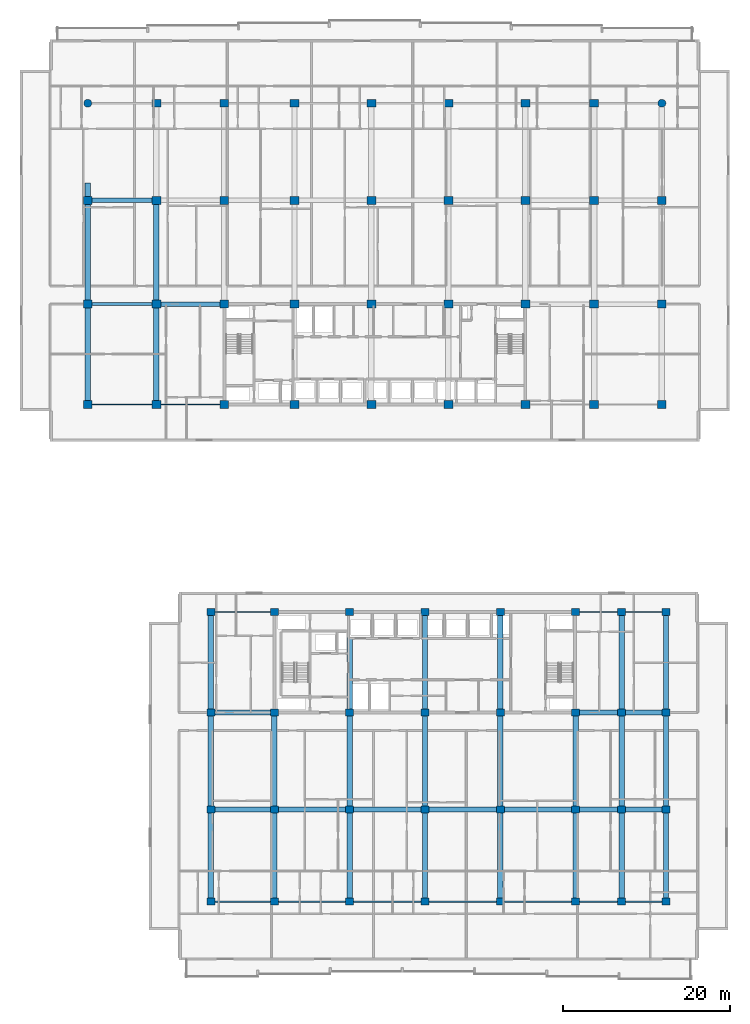
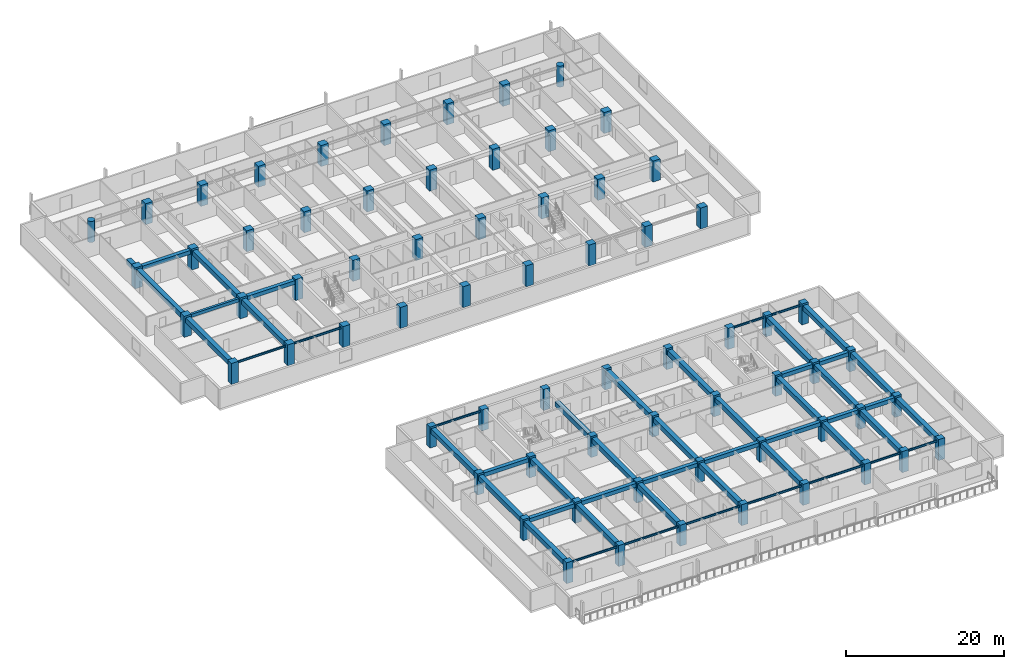
# One storey, part 1 of 23: 68 columns, 52 beams.
"""IFC4 building model written with IfcOpenShell, lengths in metres."""

import ifcopenshell
import ifcopenshell.guid

model = None  # the IFC model being written
_history = None  # IfcOwnerHistory: only IFC2X3 demands one
_inside = {}  # id of a spatial element -> (the spatial element, [elements in it])
_under = {}  # id of a project, library or spatial element -> (it, [spatial elements below it])
_declared = {}  # id of a project -> (the project, [libraries it declares])
_typed = {}  # id of a type object -> (the type object, [elements of that type])
_made_of = {}  # id of a material, layer set ... -> (it, [elements and type objects made of it])


def new_model(schema):
    """Start an empty IFC model of exactly this schema.

    Asked for "IFC4X3", IfcOpenShell would pick the latest addendum, in which some entities
    have other attributes; the version numbers below select the first issue.
    IFC2X3 requires an IfcOwnerHistory on every rooted entity: one is made here for all.
    """
    global model, _history
    if schema == "IFC4X3":
        model = ifcopenshell.file(schema_version=(4, 3, 0, 0))
    else:
        model = ifcopenshell.file(schema=schema)
    _inside.clear()
    _under.clear()
    _declared.clear()
    _typed.clear()
    _made_of.clear()
    _history = None
    if model.schema == "IFC2X3":
        org = make("IfcOrganization", Name="unknown")
        user = make(
            "IfcPersonAndOrganization",
            ThePerson=make("IfcPerson", FamilyName="unknown"),
            TheOrganization=org,
        )
        app = make(
            "IfcApplication",
            ApplicationDeveloper=org,
            Version="unknown",
            ApplicationFullName="unknown",
            ApplicationIdentifier="unknown",
        )
        _history = make(
            "IfcOwnerHistory",
            OwningUser=user,
            OwningApplication=app,
            ChangeAction="ADDED",
            CreationDate=0,
        )
    return model


def make(cls, **values):
    """One entity of the class cls with the attributes given. An attribute that is None is left unset."""
    return model.create_entity(
        cls, **{name: value for name, value in values.items() if value is not None}
    )


def rooted(cls, **values):
    """An entity with a GlobalId (a new one), such as an element, a storey or a relation."""
    return make(cls, GlobalId=ifcopenshell.guid.new(), OwnerHistory=_history, **values)


def si_unit(unit_type, name, prefix=None):
    """IfcSIUnit, for example si_unit("LENGTHUNIT", "METRE", prefix="MILLI")."""
    return make("IfcSIUnit", UnitType=unit_type, Prefix=prefix, Name=name)


def assignment(units):
    """IfcUnitAssignment: the units of a project."""
    return None if units is None else make("IfcUnitAssignment", Units=units)


def point(xyz):
    """IfcCartesianPoint."""
    return None if xyz is None else make("IfcCartesianPoint", Coordinates=xyz)


def direction(xyz):
    """IfcDirection."""
    return None if xyz is None else make("IfcDirection", DirectionRatios=xyz)


def frame(location, z_axis=None, x_axis=None):
    """IfcAxis2Placement3D, a coordinate frame: its origin and axes. An axis left out is left unset."""
    return make(
        "IfcAxis2Placement3D",
        Location=point(location),
        Axis=direction(z_axis),
        RefDirection=direction(x_axis),
    )


def frame_2d(location, x_axis=None):
    """IfcAxis2Placement2D, a coordinate frame in the plane: its origin and x axis."""
    return make(
        "IfcAxis2Placement2D", Location=point(location), RefDirection=direction(x_axis)
    )


def origin():
    """The frame at (0, 0, 0) with its axes left unset."""
    return frame((0.0, 0.0, 0.0))


def origin_2d():
    """The frame at (0, 0) in the plane with its x axis left unset."""
    return frame_2d((0.0, 0.0))


def place(relative_to, where):
    """IfcLocalPlacement: puts the frame where relative to a parent placement (None: the world)."""
    return make(
        "IfcLocalPlacement", PlacementRelTo=relative_to, RelativePlacement=where
    )


def context(
    kind, dimensions, precision=None, world=None, true_north=None, identifier=None
):
    """IfcGeometricRepresentationContext, for example the 3D "Model" context."""
    return make(
        "IfcGeometricRepresentationContext",
        ContextIdentifier=identifier,
        ContextType=kind,
        CoordinateSpaceDimension=dimensions,
        Precision=precision,
        WorldCoordinateSystem=world,
        TrueNorth=true_north,
    )


def subcontext(parent, identifier, kind, view, scale=None):
    """IfcGeometricRepresentationSubContext, for example "Body" below "Model"."""
    return make(
        "IfcGeometricRepresentationSubContext",
        ContextIdentifier=identifier,
        ContextType=kind,
        ParentContext=parent,
        TargetScale=scale,
        TargetView=view,
    )


def project(units=None, contexts=None):
    """IfcProject with its units and contexts."""
    return rooted(
        "IfcProject",
        Name="project",
        RepresentationContexts=contexts,
        UnitsInContext=assignment(units),
    )


def spatial(cls, under=None, at=None, **own):
    """A site, building, storey or space (cls), placed at a placement, below another one or the project."""
    s = rooted(cls, ObjectPlacement=at, **own)
    if under is not None:
        _under.setdefault(under.id(), (under, []))[1].append(s)
    return s


def profile(cls, at=None, kind="AREA", **sizes):
    """A parametric profile (cls). Its sizes go by their IFC names, for example OverallWidth=200.0."""
    return make(cls, ProfileType=kind, Position=at, **sizes)


def rectangle(**sizes):
    """IfcRectangleProfileDef."""
    return profile("IfcRectangleProfileDef", **sizes)


def circle(**sizes):
    """IfcCircleProfileDef."""
    return profile("IfcCircleProfileDef", **sizes)


def i_section(**sizes):
    """IfcIShapeProfileDef."""
    return profile("IfcIShapeProfileDef", **sizes)


def extrude(swept, where, along, depth):
    """IfcExtrudedAreaSolid: the profile swept, set in the frame where, extruded along a direction by depth."""
    return make(
        "IfcExtrudedAreaSolid",
        SweptArea=swept,
        Position=where,
        ExtrudedDirection=direction(along),
        Depth=depth,
    )


def shape(context_of_items, identifier, shape_type, items):
    """IfcShapeRepresentation: the items that make up one representation, for example the "Body"."""
    return make(
        "IfcShapeRepresentation",
        ContextOfItems=context_of_items,
        RepresentationIdentifier=identifier,
        RepresentationType=shape_type,
        Items=items,
    )


def material(Name=None, Category=None):
    """IfcMaterial."""
    return make("IfcMaterial", Name=Name, Category=Category)


def material_profile(
    of_material, cross_section, Name=None, Category=None, Priority=None
):
    """IfcMaterialProfile: a cross section and its material."""
    return make(
        "IfcMaterialProfile",
        Name=Name,
        Material=of_material,
        Profile=cross_section,
        Priority=Priority,
        Category=Category,
    )


def profile_set(profiles, Name=None, composite=None):
    """IfcMaterialProfileSet."""
    return make(
        "IfcMaterialProfileSet",
        Name=Name,
        MaterialProfiles=profiles,
        CompositeProfile=composite,
    )


def made_of(thing, what):
    """Note that an element or type object is made of a material, layer set ...; save() writes the relation."""
    if what is not None:
        _made_of.setdefault(what.id(), (what, []))[1].append(thing)
    return thing


def type_object(cls, material=None, **own):
    """A type object (cls), such as IfcWallType, which elements share."""
    return made_of(rooted(cls, **own), material)


def element(
    cls,
    number,
    at=None,
    inside=None,
    cuts=None,
    type_object=None,
    material=None,
    context=None,
    identifier="Body",
    shape_type=None,
    held_by="IfcProductDefinitionShape",
    body=None,
    shapes=None,
    **own,
):
    """One element of the class cls, such as IfcWall. Its Tag is "e" and its number.

    at: its placement. inside: the storey or other place that contains it. cuts: it is an
    opening in that element (IfcRelVoidsElement). A single representation is given by context,
    identifier, shape_type and body (its items); several are given by shapes. held_by: the class
    of the entity that holds the representations. save() writes the other relations.
    """
    e = rooted(cls, Tag="e%d" % number, ObjectPlacement=at, **own)
    if body is not None:
        shapes = [shape(context, identifier, shape_type, body)]
    if shapes is not None:
        e.Representation = make(held_by, Representations=shapes)
    if inside is not None:
        _inside.setdefault(inside.id(), (inside, []))[1].append(e)
    if cuts is not None:
        rooted(
            "IfcRelVoidsElement", RelatingBuildingElement=cuts, RelatedOpeningElement=e
        )
    if type_object is not None:
        _typed.setdefault(type_object.id(), (type_object, []))[1].append(e)
    return made_of(e, material)


def aggregate(whole, parts):
    """IfcRelAggregates: a whole, such as a stair, and the parts it consists of."""
    return rooted("IfcRelAggregates", RelatingObject=whole, RelatedObjects=parts)


def save(model, path):
    """Write the relations noted so far, then the file.

    IfcRelAggregates (storeys below a building ...), IfcRelContainedInSpatialStructure (elements
    in a storey), IfcRelDefinesByType, IfcRelAssociatesMaterial and IfcRelDeclares: one each for
    every whole, place, type object, material and project.
    """
    for whole, parts in _under.values():
        aggregate(whole, parts)
    for where, things in _inside.values():
        rooted(
            "IfcRelContainedInSpatialStructure",
            RelatedElements=things,
            RelatingStructure=where,
        )
    for kind, things in _typed.values():
        rooted("IfcRelDefinesByType", RelatedObjects=things, RelatingType=kind)
    for what, things in _made_of.values():
        rooted("IfcRelAssociatesMaterial", RelatedObjects=things, RelatingMaterial=what)
    for by, libraries in _declared.values():
        rooted("IfcRelDeclares", RelatingContext=by, RelatedDefinitions=libraries)
    model.write(path)


model = new_model("IFC4")

# Units and contexts
model_context = context("Model", 3, precision=1e-05, world=origin(), true_north=direction((0.0, 1.0)))
body_context = subcontext(model_context, "Body", "Model", "MODEL_VIEW")
ifc_project = project(units=[si_unit("LENGTHUNIT", "METRE"), si_unit("AREAUNIT", "SQUARE_METRE"), si_unit("VOLUMEUNIT", "CUBIC_METRE"), si_unit("PLANEANGLEUNIT", "RADIAN"), si_unit("MASSUNIT", "GRAM", prefix="KILO")], contexts=[model_context])

# Site, building, storey
site_placement = place(None, origin())
site = spatial("IfcSite", under=ifc_project, at=site_placement, CompositionType="ELEMENT")
building_placement = place(site_placement, origin())
building = spatial("IfcBuilding", under=site, at=building_placement, Name="Korimba Cascade Residences", CompositionType="ELEMENT")
storey_placement = place(building_placement, frame((0.0, 0.0, 30.5)))
storey = spatial("IfcBuildingStorey", under=building, at=storey_placement, Name="L07", CompositionType="ELEMENT", Elevation=30.5)

# Columns
ifc_material_1 = material(Name="Concrete C80/95", Category="concrete")
ifc_material_profile_1 = material_profile(ifc_material_1, rectangle(XDim=1.050048828125, YDim=0.949951171875, at=origin_2d()), Name="Concrete C80/95")
ifc_profile_set_1 = profile_set([ifc_material_profile_1], Name="Concrete C80/95")
column_type_1 = type_object("IfcColumnType", Name="COL-RC-1050", PredefinedType="COLUMN", material=ifc_profile_set_1)
for number, where, z_axis, x_axis, name in (
    (1, (59.800048828125, 55.199951171875, 0.0), (0.0, 0.0, 1.0), (1.0, 0.0, 0.0), "L07 Tower 1 Column 1.1"),
    (2, (59.800048828125, 67.199951171875, 0.0), (0.0, 0.0, 1.0), (1.0, 0.0, 0.0), "L07 Tower 1 Column 1.2"),
    (3, (59.800048828125, 79.60009765625, 0.0), (0.0, 0.0, 1.0), (1.0, 0.0, 0.0), "L07 Tower 1 Column 1.3"),
    (4, (68.0, 55.199951171875, 0.0), (0.0, 0.0, 1.0), (1.0, 0.0, 0.0), "L07 Tower 1 Column 2.1"),
    (5, (68.0, 67.199951171875, 0.0), (0.0, 0.0, 1.0), (1.0, 0.0, 0.0), "L07 Tower 1 Column 2.2"),
    (6, (68.0, 79.60009765625, 0.0), (0.0, 0.0, 1.0), (1.0, 0.0, 0.0), "L07 Tower 1 Column 2.3"),
    (7, (68.0, 91.199951171875, 0.0), (0.0, 0.0, 1.0), (1.0, 0.0, 0.0), "L07 Tower 1 Column 2.4"),
    (8, (76.10009765625, 55.199951171875, 0.0), (0.0, 0.0, 1.0), (1.0, 0.0, 0.0), "L07 Tower 1 Column 3.1"),
    (9, (76.10009765625, 67.199951171875, 0.0), (0.0, 0.0, 1.0), (1.0, 0.0, 0.0), "L07 Tower 1 Column 3.2"),
    (10, (76.10009765625, 79.60009765625, 0.0), (0.0, 0.0, 1.0), (1.0, 0.0, 0.0), "L07 Tower 1 Column 3.3"),
    (11, (76.10009765625, 91.199951171875, 0.0), (0.0, 0.0, 1.0), (1.0, 0.0, 0.0), "L07 Tower 1 Column 3.4"),
    (12, (84.5, 55.199951171875, 0.0), (0.0, 0.0, 1.0), (1.0, 0.0, 0.0), "L07 Tower 1 Column 4.1"),
    (13, (84.5, 67.199951171875, 0.0), (0.0, 0.0, 1.0), (1.0, 0.0, 0.0), "L07 Tower 1 Column 4.2"),
    (14, (84.5, 79.60009765625, 0.0), (0.0, 0.0, 1.0), (1.0, 0.0, 0.0), "L07 Tower 1 Column 4.3"),
    (15, (84.5, 91.199951171875, 0.0), (0.0, 0.0, 1.0), (1.0, 0.0, 0.0), "L07 Tower 1 Column 4.4"),
    (16, (93.699951171875, 55.199951171875, 0.0), (0.0, 0.0, 1.0), (1.0, 0.0, 0.0), "L07 Tower 1 Column 5.1"),
    (17, (93.699951171875, 67.199951171875, 0.0), (0.0, 0.0, 1.0), (1.0, 0.0, 0.0), "L07 Tower 1 Column 5.2"),
    (18, (93.699951171875, 79.60009765625, 0.0), (0.0, 0.0, 1.0), (1.0, 0.0, 0.0), "L07 Tower 1 Column 5.3"),
    (19, (93.699951171875, 91.199951171875, 0.0), (0.0, 0.0, 1.0), (1.0, 0.0, 0.0), "L07 Tower 1 Column 5.4"),
    (20, (102.89990234375, 55.199951171875, 0.0), (0.0, 0.0, 1.0), (1.0, 0.0, 0.0), "L07 Tower 1 Column 6.1"),
    (21, (102.89990234375, 67.199951171875, 0.0), (0.0, 0.0, 1.0), (1.0, 0.0, 0.0), "L07 Tower 1 Column 6.2"),
    (22, (102.89990234375, 79.60009765625, 0.0), (0.0, 0.0, 1.0), (1.0, 0.0, 0.0), "L07 Tower 1 Column 6.3"),
    (23, (102.89990234375, 91.199951171875, 0.0), (0.0, 0.0, 1.0), (1.0, 0.0, 0.0), "L07 Tower 1 Column 6.4"),
    (24, (112.10009765625, 55.199951171875, 0.0), (0.0, 0.0, 1.0), (1.0, 0.0, 0.0), "L07 Tower 1 Column 7.1"),
    (25, (112.10009765625, 67.199951171875, 0.0), (0.0, 0.0, 1.0), (1.0, 0.0, 0.0), "L07 Tower 1 Column 7.2"),
    (26, (112.10009765625, 79.60009765625, 0.0), (0.0, 0.0, 1.0), (1.0, 0.0, 0.0), "L07 Tower 1 Column 7.3"),
    (27, (112.10009765625, 91.199951171875, 0.0), (0.0, 0.0, 1.0), (1.0, 0.0, 0.0), "L07 Tower 1 Column 7.4"),
    (28, (120.300048828125, 55.199951171875, 0.0), (0.0, 0.0, 1.0), (1.0, 0.0, 0.0), "L07 Tower 1 Column 8.1"),
    (29, (120.300048828125, 67.199951171875, 0.0), (0.0, 0.0, 1.0), (1.0, 0.0, 0.0), "L07 Tower 1 Column 8.2"),
    (30, (120.300048828125, 79.60009765625, 0.0), (0.0, 0.0, 1.0), (1.0, 0.0, 0.0), "L07 Tower 1 Column 8.3"),
    (31, (120.300048828125, 91.199951171875, 0.0), (0.0, 0.0, 1.0), (1.0, 0.0, 0.0), "L07 Tower 1 Column 8.4"),
    (32, (128.39990234375, 55.199951171875, 0.0), (0.0, 0.0, 1.0), (1.0, 0.0, 0.0), "L07 Tower 1 Column 9.1"),
    (33, (128.39990234375, 67.199951171875, 0.0), (0.0, 0.0, 1.0), (1.0, 0.0, 0.0), "L07 Tower 1 Column 9.2"),
    (34, (128.39990234375, 79.60009765625, 0.0), (0.0, 0.0, 1.0), (1.0, 0.0, 0.0), "L07 Tower 1 Column 9.3"),
):
    element("IfcColumn", number, at=place(storey_placement, frame(where, z_axis=z_axis, x_axis=x_axis)), inside=storey, type_object=column_type_1, Name=name, PredefinedType="COLUMN", context=body_context, shape_type="SweptSolid", body=[
        extrude(rectangle(XDim=1.050048828125, YDim=0.949951171875, at=origin_2d()), origin(), (0.0, 0.0, 1.0), 3.25),
    ])
ifc_material_2 = material(Name="Concrete C65/80", Category="concrete")
ifc_material_profile_2 = material_profile(ifc_material_2, rectangle(XDim=0.949951171875, YDim=0.85009765625, at=origin_2d()), Name="Concrete C65/80")
ifc_profile_set_2 = profile_set([ifc_material_profile_2], Name="Concrete C65/80")
column_type_2 = type_object("IfcColumnType", Name="COL-RC-950", PredefinedType="COLUMN", material=ifc_profile_set_2)
for number, where, z_axis, x_axis, name in (
    (35, (74.5, -4.199951171875, 0.0), (0.0, 0.0, 1.0), (1.0, 0.0, 0.0), "L07 Tower 2 Column 1.1"),
    (36, (74.5, 6.800048828125, 0.0), (0.0, 0.0, 1.0), (1.0, 0.0, 0.0), "L07 Tower 2 Column 1.2"),
    (37, (74.5, 18.39990234375, 0.0), (0.0, 0.0, 1.0), (1.0, 0.0, 0.0), "L07 Tower 2 Column 1.3"),
    (38, (74.5, 30.39990234375, 0.0), (0.0, 0.0, 1.0), (1.0, 0.0, 0.0), "L07 Tower 2 Column 1.4"),
    (39, (82.10009765625, -4.199951171875, 0.0), (0.0, 0.0, 1.0), (1.0, 0.0, 0.0), "L07 Tower 2 Column 2.1"),
    (40, (82.10009765625, 6.800048828125, 0.0), (0.0, 0.0, 1.0), (1.0, 0.0, 0.0), "L07 Tower 2 Column 2.2"),
    (41, (82.10009765625, 18.39990234375, 0.0), (0.0, 0.0, 1.0), (1.0, 0.0, 0.0), "L07 Tower 2 Column 2.3"),
    (42, (82.10009765625, 30.39990234375, 0.0), (0.0, 0.0, 1.0), (1.0, 0.0, 0.0), "L07 Tower 2 Column 2.4"),
    (43, (91.10009765625, -4.199951171875, 0.0), (0.0, 0.0, 1.0), (1.0, 0.0, 0.0), "L07 Tower 2 Column 3.1"),
    (44, (91.10009765625, 6.800048828125, 0.0), (0.0, 0.0, 1.0), (1.0, 0.0, 0.0), "L07 Tower 2 Column 3.2"),
    (45, (91.10009765625, 18.39990234375, 0.0), (0.0, 0.0, 1.0), (1.0, 0.0, 0.0), "L07 Tower 2 Column 3.3"),
    (46, (91.10009765625, 30.39990234375, 0.0), (0.0, 0.0, 1.0), (1.0, 0.0, 0.0), "L07 Tower 2 Column 3.4"),
    (47, (100.10009765625, -4.199951171875, 0.0), (0.0, 0.0, 1.0), (1.0, 0.0, 0.0), "L07 Tower 2 Column 4.1"),
    (48, (100.10009765625, 6.800048828125, 0.0), (0.0, 0.0, 1.0), (1.0, 0.0, 0.0), "L07 Tower 2 Column 4.2"),
    (49, (100.10009765625, 18.39990234375, 0.0), (0.0, 0.0, 1.0), (1.0, 0.0, 0.0), "L07 Tower 2 Column 4.3"),
    (50, (100.10009765625, 30.39990234375, 0.0), (0.0, 0.0, 1.0), (1.0, 0.0, 0.0), "L07 Tower 2 Column 4.4"),
    (51, (109.10009765625, -4.199951171875, 0.0), (0.0, 0.0, 1.0), (1.0, 0.0, 0.0), "L07 Tower 2 Column 5.1"),
    (52, (109.10009765625, 6.800048828125, 0.0), (0.0, 0.0, 1.0), (1.0, 0.0, 0.0), "L07 Tower 2 Column 5.2"),
    (53, (109.10009765625, 18.39990234375, 0.0), (0.0, 0.0, 1.0), (1.0, 0.0, 0.0), "L07 Tower 2 Column 5.3"),
    (54, (109.10009765625, 30.39990234375, 0.0), (0.0, 0.0, 1.0), (1.0, 0.0, 0.0), "L07 Tower 2 Column 5.4"),
    (55, (118.10009765625, -4.199951171875, 0.0), (0.0, 0.0, 1.0), (1.0, 0.0, 0.0), "L07 Tower 2 Column 6.1"),
    (56, (118.10009765625, 6.800048828125, 0.0), (0.0, 0.0, 1.0), (1.0, 0.0, 0.0), "L07 Tower 2 Column 6.2"),
    (57, (118.10009765625, 18.39990234375, 0.0), (0.0, 0.0, 1.0), (1.0, 0.0, 0.0), "L07 Tower 2 Column 6.3"),
    (58, (118.10009765625, 30.39990234375, 0.0), (0.0, 0.0, 1.0), (1.0, 0.0, 0.0), "L07 Tower 2 Column 6.4"),
    (59, (123.60009765625, -4.199951171875, 0.0), (0.0, 0.0, 1.0), (1.0, 0.0, 0.0), "L07 Tower 2 Column 7.1"),
    (60, (123.60009765625, 6.800048828125, 0.0), (0.0, 0.0, 1.0), (1.0, 0.0, 0.0), "L07 Tower 2 Column 7.2"),
    (61, (123.60009765625, 18.39990234375, 0.0), (0.0, 0.0, 1.0), (1.0, 0.0, 0.0), "L07 Tower 2 Column 7.3"),
    (62, (123.60009765625, 30.39990234375, 0.0), (0.0, 0.0, 1.0), (1.0, 0.0, 0.0), "L07 Tower 2 Column 7.4"),
    (63, (128.89990234375, -4.199951171875, 0.0), (0.0, 0.0, 1.0), (1.0, 0.0, 0.0), "L07 Tower 2 Column 8.1"),
    (64, (128.89990234375, 6.800048828125, 0.0), (0.0, 0.0, 1.0), (1.0, 0.0, 0.0), "L07 Tower 2 Column 8.2"),
    (65, (128.89990234375, 18.39990234375, 0.0), (0.0, 0.0, 1.0), (1.0, 0.0, 0.0), "L07 Tower 2 Column 8.3"),
    (66, (128.89990234375, 30.39990234375, 0.0), (0.0, 0.0, 1.0), (1.0, 0.0, 0.0), "L07 Tower 2 Column 8.4"),
):
    element("IfcColumn", number, at=place(storey_placement, frame(where, z_axis=z_axis, x_axis=x_axis)), inside=storey, type_object=column_type_2, Name=name, PredefinedType="COLUMN", context=body_context, shape_type="SweptSolid", body=[
        extrude(rectangle(XDim=0.949951171875, YDim=0.85009765625, at=origin_2d()), origin(), (0.0, 0.0, 1.0), 3.25),
    ])
ifc_material_profile_3 = material_profile(ifc_material_1, circle(Radius=0.47509765625, at=origin_2d()), Name="Concrete C80/95")
ifc_profile_set_3 = profile_set([ifc_material_profile_3], Name="Concrete C80/95")
column_type_3 = type_object("IfcColumnType", Name="COL-RC-D950", PredefinedType="COLUMN", material=ifc_profile_set_3)
for number, where, z_axis, x_axis, name in (
    (67, (59.800048828125, 91.199951171875, 0.0), (0.0, 0.0, 1.0), (1.0, 0.0, 0.0), "L07 Tower 1 Column 1.4"),
    (68, (128.39990234375, 91.199951171875, 0.0), (0.0, 0.0, 1.0), (1.0, 0.0, 0.0), "L07 Tower 1 Column 9.4"),
):
    element("IfcColumn", number, at=place(storey_placement, frame(where, z_axis=z_axis, x_axis=x_axis)), inside=storey, type_object=column_type_3, Name=name, PredefinedType="COLUMN", context=body_context, shape_type="SweptSolid", body=[
        extrude(circle(Radius=0.47509765625, at=origin_2d()), origin(), (0.0, 0.0, 1.0), 3.25),
    ])

# Beams
ifc_material_3 = material(Name="Concrete C50/60", Category="concrete")
ifc_material_profile_4 = material_profile(ifc_material_3, rectangle(XDim=0.550048828125, YDim=0.60009765625, at=origin_2d()), Name="Concrete C50/60")
ifc_profile_set_4 = profile_set([ifc_material_profile_4], Name="Concrete C50/60")
beam_type_1 = type_object("IfcBeamType", Name="BM-RC-B600", PredefinedType="BEAM", material=ifc_profile_set_4)
beam_1_placement = place(storey_placement, frame((68.52490234375, 67.199951171875, 2.669921875), z_axis=(1.0, 0.0, 0.0), x_axis=(0.0, 1.0, 0.0)))
element("IfcBeam", 69, at=beam_1_placement, inside=storey, type_object=beam_type_1, Name="L07 T1 E-W Girder Y2 Bay 2", PredefinedType="BEAM", context=body_context, shape_type="SweptSolid", body=[
    extrude(rectangle(XDim=0.550048828125, YDim=0.60009765625, at=origin_2d()), origin(), (0.0, 0.0, 1.0), 7.050048828125),
])
beam_2_placement = place(storey_placement, frame((60.324951171875, 79.60009765625, 2.669921875), z_axis=(1.0, 0.0, 0.0), x_axis=(0.0, 1.0, 0.0)))
element("IfcBeam", 70, at=beam_2_placement, inside=storey, type_object=beam_type_1, Name="L07 T1 E-W Girder Y3 Bay 1", PredefinedType="BEAM", context=body_context, shape_type="SweptSolid", body=[
    extrude(rectangle(XDim=0.550048828125, YDim=0.60009765625, at=origin_2d()), origin(), (0.0, 0.0, 1.0), 7.150146484375),
])
beam_3_placement = place(storey_placement, frame((74.97509765625, 6.800048828125, 2.669921875), z_axis=(1.0, 0.0, 0.0), x_axis=(0.0, 1.0, 0.0)))
element("IfcBeam", 71, at=beam_3_placement, inside=storey, type_object=beam_type_1, Name="L07 T2 E-W Girder Y2 Bay 1", PredefinedType="BEAM", context=body_context, shape_type="SweptSolid", body=[
    extrude(rectangle(XDim=0.550048828125, YDim=0.60009765625, at=origin_2d()), origin(), (0.0, 0.0, 1.0), 6.64990234375),
])
for number, where, z_axis, x_axis, name in (
    (72, (82.574951171875, 6.800048828125, 2.669921875), (1.0, 0.0, 0.0), (0.0, 1.0, 0.0), "L07 T2 E-W Girder Y2 Bay 2"),
    (73, (91.574951171875, 6.800048828125, 2.669921875), (1.0, 0.0, 0.0), (0.0, 1.0, 0.0), "L07 T2 E-W Girder Y2 Bay 3"),
    (74, (100.574951171875, 6.800048828125, 2.669921875), (1.0, 0.0, 0.0), (0.0, 1.0, 0.0), "L07 T2 E-W Girder Y2 Bay 4"),
    (75, (109.574951171875, 6.800048828125, 2.669921875), (1.0, 0.0, 0.0), (0.0, 1.0, 0.0), "L07 T2 E-W Girder Y2 Bay 5"),
):
    element("IfcBeam", number, at=place(storey_placement, frame(where, z_axis=z_axis, x_axis=x_axis)), inside=storey, type_object=beam_type_1, Name=name, PredefinedType="BEAM", context=body_context, shape_type="SweptSolid", body=[
        extrude(rectangle(XDim=0.550048828125, YDim=0.60009765625, at=origin_2d()), origin(), (0.0, 0.0, 1.0), 8.050048828125),
    ])
beam_4_placement = place(storey_placement, frame((118.574951171875, 6.800048828125, 2.669921875), z_axis=(1.0, 0.0, 0.0), x_axis=(0.0, 1.0, 0.0)))
element("IfcBeam", 76, at=beam_4_placement, inside=storey, type_object=beam_type_1, Name="L07 T2 E-W Girder Y2 Bay 6", PredefinedType="BEAM", context=body_context, shape_type="SweptSolid", body=[
    extrude(rectangle(XDim=0.550048828125, YDim=0.60009765625, at=origin_2d()), origin(), (0.0, 0.0, 1.0), 4.550048828125),
])
beam_5_placement = place(storey_placement, frame((124.074951171875, 6.800048828125, 2.669921875), z_axis=(1.0, 0.0, 0.0), x_axis=(0.0, 1.0, 0.0)))
element("IfcBeam", 77, at=beam_5_placement, inside=storey, type_object=beam_type_1, Name="L07 T2 E-W Girder Y2 Bay 7", PredefinedType="BEAM", context=body_context, shape_type="SweptSolid", body=[
    extrude(rectangle(XDim=0.550048828125, YDim=0.60009765625, at=origin_2d()), origin(), (0.0, 0.0, 1.0), 4.35009765625),
])
beam_6_placement = place(storey_placement, frame((74.97509765625, 18.39990234375, 2.669921875), z_axis=(1.0, 0.0, 0.0), x_axis=(0.0, 1.0, 0.0)))
element("IfcBeam", 78, at=beam_6_placement, inside=storey, type_object=beam_type_1, Name="L07 T2 E-W Girder Y3 Bay 1", PredefinedType="BEAM", context=body_context, shape_type="SweptSolid", body=[
    extrude(rectangle(XDim=0.550048828125, YDim=0.60009765625, at=origin_2d()), origin(), (0.0, 0.0, 1.0), 6.64990234375),
])
beam_7_placement = place(storey_placement, frame((118.574951171875, 18.39990234375, 2.669921875), z_axis=(1.0, 0.0, 0.0), x_axis=(0.0, 1.0, 0.0)))
element("IfcBeam", 79, at=beam_7_placement, inside=storey, type_object=beam_type_1, Name="L07 T2 E-W Girder Y3 Bay 6", PredefinedType="BEAM", context=body_context, shape_type="SweptSolid", body=[
    extrude(rectangle(XDim=0.550048828125, YDim=0.60009765625, at=origin_2d()), origin(), (0.0, 0.0, 1.0), 4.550048828125),
])
beam_8_placement = place(storey_placement, frame((124.074951171875, 18.39990234375, 2.669921875), z_axis=(1.0, 0.0, 0.0), x_axis=(0.0, 1.0, 0.0)))
element("IfcBeam", 80, at=beam_8_placement, inside=storey, type_object=beam_type_1, Name="L07 T2 E-W Girder Y3 Bay 7", PredefinedType="BEAM", context=body_context, shape_type="SweptSolid", body=[
    extrude(rectangle(XDim=0.550048828125, YDim=0.60009765625, at=origin_2d()), origin(), (0.0, 0.0, 1.0), 4.35009765625),
])
ifc_material_profile_5 = material_profile(ifc_material_3, rectangle(XDim=0.64990234375, YDim=0.75, at=origin_2d()), Name="Concrete C50/60")
ifc_profile_set_5 = profile_set([ifc_material_profile_5], Name="Concrete C50/60")
beam_type_2 = type_object("IfcBeamType", Name="BM-RC-G750", PredefinedType="BEAM", material=ifc_profile_set_5)
beam_9_placement = place(storey_placement, frame((59.800048828125, 55.675048828125, 2.594970703125), z_axis=(0.0, 1.0, 0.0), x_axis=(-1.0, 0.0, 0.0)))
element("IfcBeam", 81, at=beam_9_placement, inside=storey, type_object=beam_type_2, Name="L07 T1 N-S Girder X1 Seg 1", PredefinedType="BEAM", context=body_context, shape_type="SweptSolid", body=[
    extrude(rectangle(XDim=0.64990234375, YDim=0.75, at=origin_2d()), origin(), (0.0, 0.0, 1.0), 11.050048828125),
])
beam_10_placement = place(storey_placement, frame((59.800048828125, 67.675048828125, 2.594970703125), z_axis=(0.0, 1.0, 0.0), x_axis=(-1.0, 0.0, 0.0)))
element("IfcBeam", 82, at=beam_10_placement, inside=storey, type_object=beam_type_2, Name="L07 T1 N-S Girder X1 Seg 2", PredefinedType="BEAM", context=body_context, shape_type="SweptSolid", body=[
    extrude(rectangle(XDim=0.64990234375, YDim=0.75, at=origin_2d()), origin(), (0.0, 0.0, 1.0), 11.449951171875),
])
beam_11_placement = place(storey_placement, frame((59.800048828125, 80.074951171875, 2.594970703125), z_axis=(0.0, 1.0, 0.0), x_axis=(-1.0, 0.0, 0.0)))
element("IfcBeam", 83, at=beam_11_placement, inside=storey, type_object=beam_type_2, Name="L07 T1 N-S Girder X1 Seg 3", PredefinedType="BEAM", context=body_context, shape_type="SweptSolid", body=[
    extrude(rectangle(XDim=0.64990234375, YDim=0.75, at=origin_2d()), origin(), (0.0, 0.0, 1.0), 1.625),
])
beam_12_placement = place(storey_placement, frame((68.0, 55.675048828125, 2.594970703125), z_axis=(0.0, 1.0, 0.0), x_axis=(-1.0, 0.0, 0.0)))
element("IfcBeam", 84, at=beam_12_placement, inside=storey, type_object=beam_type_2, Name="L07 T1 N-S Girder X2 Seg 1", PredefinedType="BEAM", context=body_context, shape_type="SweptSolid", body=[
    extrude(rectangle(XDim=0.64990234375, YDim=0.75, at=origin_2d()), origin(), (0.0, 0.0, 1.0), 11.050048828125),
])
beam_13_placement = place(storey_placement, frame((68.0, 67.675048828125, 2.594970703125), z_axis=(0.0, 1.0, 0.0), x_axis=(-1.0, 0.0, 0.0)))
element("IfcBeam", 85, at=beam_13_placement, inside=storey, type_object=beam_type_2, Name="L07 T1 N-S Girder X2 Seg 2", PredefinedType="BEAM", context=body_context, shape_type="SweptSolid", body=[
    extrude(rectangle(XDim=0.64990234375, YDim=0.75, at=origin_2d()), origin(), (0.0, 0.0, 1.0), 11.449951171875),
])
beam_14_placement = place(storey_placement, frame((74.5, -3.77490234375, 2.594970703125), z_axis=(0.0, 1.0, 0.0), x_axis=(-1.0, 0.0, 0.0)))
element("IfcBeam", 86, at=beam_14_placement, inside=storey, type_object=beam_type_2, Name="L07 T2 N-S Girder X1 Seg 1", PredefinedType="BEAM", context=body_context, shape_type="SweptSolid", body=[
    extrude(rectangle(XDim=0.64990234375, YDim=0.75, at=origin_2d()), origin(), (0.0, 0.0, 1.0), 10.14990234375),
])
beam_15_placement = place(storey_placement, frame((74.5, 7.22509765625, 2.594970703125), z_axis=(0.0, 1.0, 0.0), x_axis=(-1.0, 0.0, 0.0)))
element("IfcBeam", 87, at=beam_15_placement, inside=storey, type_object=beam_type_2, Name="L07 T2 N-S Girder X1 Seg 2", PredefinedType="BEAM", context=body_context, shape_type="SweptSolid", body=[
    extrude(rectangle(XDim=0.64990234375, YDim=0.75, at=origin_2d()), origin(), (0.0, 0.0, 1.0), 10.75),
])
beam_16_placement = place(storey_placement, frame((74.5, 18.824951171875, 2.594970703125), z_axis=(0.0, 1.0, 0.0), x_axis=(-1.0, 0.0, 0.0)))
element("IfcBeam", 88, at=beam_16_placement, inside=storey, type_object=beam_type_2, Name="L07 T2 N-S Girder X1 Seg 3", PredefinedType="BEAM", context=body_context, shape_type="SweptSolid", body=[
    extrude(rectangle(XDim=0.64990234375, YDim=0.75, at=origin_2d()), origin(), (0.0, 0.0, 1.0), 11.150146484375),
])
beam_17_placement = place(storey_placement, frame((82.10009765625, -3.77490234375, 2.594970703125), z_axis=(0.0, 1.0, 0.0), x_axis=(-1.0, 0.0, 0.0)))
element("IfcBeam", 89, at=beam_17_placement, inside=storey, type_object=beam_type_2, Name="L07 T2 N-S Girder X2 Seg 1", PredefinedType="BEAM", context=body_context, shape_type="SweptSolid", body=[
    extrude(rectangle(XDim=0.64990234375, YDim=0.75, at=origin_2d()), origin(), (0.0, 0.0, 1.0), 10.14990234375),
])
beam_18_placement = place(storey_placement, frame((82.10009765625, 7.22509765625, 2.594970703125), z_axis=(0.0, 1.0, 0.0), x_axis=(-1.0, 0.0, 0.0)))
element("IfcBeam", 90, at=beam_18_placement, inside=storey, type_object=beam_type_2, Name="L07 T2 N-S Girder X2 Seg 2", PredefinedType="BEAM", context=body_context, shape_type="SweptSolid", body=[
    extrude(rectangle(XDim=0.64990234375, YDim=0.75, at=origin_2d()), origin(), (0.0, 0.0, 1.0), 10.75),
])
beam_19_placement = place(storey_placement, frame((91.10009765625, -3.77490234375, 2.594970703125), z_axis=(0.0, 1.0, 0.0), x_axis=(-1.0, 0.0, 0.0)))
element("IfcBeam", 91, at=beam_19_placement, inside=storey, type_object=beam_type_2, Name="L07 T2 N-S Girder X3 Seg 1", PredefinedType="BEAM", context=body_context, shape_type="SweptSolid", body=[
    extrude(rectangle(XDim=0.64990234375, YDim=0.75, at=origin_2d()), origin(), (0.0, 0.0, 1.0), 10.14990234375),
])
beam_20_placement = place(storey_placement, frame((91.10009765625, 7.22509765625, 2.594970703125), z_axis=(0.0, 1.0, 0.0), x_axis=(-1.0, 0.0, 0.0)))
element("IfcBeam", 92, at=beam_20_placement, inside=storey, type_object=beam_type_2, Name="L07 T2 N-S Girder X3 Seg 2", PredefinedType="BEAM", context=body_context, shape_type="SweptSolid", body=[
    extrude(rectangle(XDim=0.64990234375, YDim=0.75, at=origin_2d()), origin(), (0.0, 0.0, 1.0), 10.75),
])
beam_21_placement = place(storey_placement, frame((91.10009765625, 18.824951171875, 2.594970703125), z_axis=(0.0, 1.0, 0.0), x_axis=(-1.0, 0.0, 0.0)))
element("IfcBeam", 93, at=beam_21_placement, inside=storey, type_object=beam_type_2, Name="L07 T2 N-S Girder X3 Seg 3", PredefinedType="BEAM", context=body_context, shape_type="SweptSolid", body=[
    extrude(rectangle(XDim=0.64990234375, YDim=0.75, at=origin_2d()), origin(), (0.0, 0.0, 1.0), 8.51513671875),
])
beam_22_placement = place(storey_placement, frame((100.10009765625, -3.77490234375, 2.594970703125), z_axis=(0.0, 1.0, 0.0), x_axis=(-1.0, 0.0, 0.0)))
element("IfcBeam", 94, at=beam_22_placement, inside=storey, type_object=beam_type_2, Name="L07 T2 N-S Girder X4 Seg 1", PredefinedType="BEAM", context=body_context, shape_type="SweptSolid", body=[
    extrude(rectangle(XDim=0.64990234375, YDim=0.75, at=origin_2d()), origin(), (0.0, 0.0, 1.0), 10.14990234375),
])
beam_23_placement = place(storey_placement, frame((100.10009765625, 7.22509765625, 2.594970703125), z_axis=(0.0, 1.0, 0.0), x_axis=(-1.0, 0.0, 0.0)))
element("IfcBeam", 95, at=beam_23_placement, inside=storey, type_object=beam_type_2, Name="L07 T2 N-S Girder X4 Seg 2", PredefinedType="BEAM", context=body_context, shape_type="SweptSolid", body=[
    extrude(rectangle(XDim=0.64990234375, YDim=0.75, at=origin_2d()), origin(), (0.0, 0.0, 1.0), 10.75),
])
beam_24_placement = place(storey_placement, frame((100.10009765625, 18.824951171875, 2.594970703125), z_axis=(0.0, 1.0, 0.0), x_axis=(-1.0, 0.0, 0.0)))
element("IfcBeam", 96, at=beam_24_placement, inside=storey, type_object=beam_type_2, Name="L07 T2 N-S Girder X4 Seg 3", PredefinedType="BEAM", context=body_context, shape_type="SweptSolid", body=[
    extrude(rectangle(XDim=0.64990234375, YDim=0.75, at=origin_2d()), origin(), (0.0, 0.0, 1.0), 11.150146484375),
])
beam_25_placement = place(storey_placement, frame((109.10009765625, -3.77490234375, 2.594970703125), z_axis=(0.0, 1.0, 0.0), x_axis=(-1.0, 0.0, 0.0)))
element("IfcBeam", 97, at=beam_25_placement, inside=storey, type_object=beam_type_2, Name="L07 T2 N-S Girder X5 Seg 1", PredefinedType="BEAM", context=body_context, shape_type="SweptSolid", body=[
    extrude(rectangle(XDim=0.64990234375, YDim=0.75, at=origin_2d()), origin(), (0.0, 0.0, 1.0), 10.14990234375),
])
beam_26_placement = place(storey_placement, frame((109.10009765625, 7.22509765625, 2.594970703125), z_axis=(0.0, 1.0, 0.0), x_axis=(-1.0, 0.0, 0.0)))
element("IfcBeam", 98, at=beam_26_placement, inside=storey, type_object=beam_type_2, Name="L07 T2 N-S Girder X5 Seg 2", PredefinedType="BEAM", context=body_context, shape_type="SweptSolid", body=[
    extrude(rectangle(XDim=0.64990234375, YDim=0.75, at=origin_2d()), origin(), (0.0, 0.0, 1.0), 10.75),
])
beam_27_placement = place(storey_placement, frame((109.10009765625, 18.824951171875, 2.594970703125), z_axis=(0.0, 1.0, 0.0), x_axis=(-1.0, 0.0, 0.0)))
element("IfcBeam", 99, at=beam_27_placement, inside=storey, type_object=beam_type_2, Name="L07 T2 N-S Girder X5 Seg 3", PredefinedType="BEAM", context=body_context, shape_type="SweptSolid", body=[
    extrude(rectangle(XDim=0.64990234375, YDim=0.75, at=origin_2d()), origin(), (0.0, 0.0, 1.0), 11.150146484375),
])
beam_28_placement = place(storey_placement, frame((118.10009765625, -3.77490234375, 2.594970703125), z_axis=(0.0, 1.0, 0.0), x_axis=(-1.0, 0.0, 0.0)))
element("IfcBeam", 100, at=beam_28_placement, inside=storey, type_object=beam_type_2, Name="L07 T2 N-S Girder X6 Seg 1", PredefinedType="BEAM", context=body_context, shape_type="SweptSolid", body=[
    extrude(rectangle(XDim=0.64990234375, YDim=0.75, at=origin_2d()), origin(), (0.0, 0.0, 1.0), 10.14990234375),
])
beam_29_placement = place(storey_placement, frame((118.10009765625, 7.22509765625, 2.594970703125), z_axis=(0.0, 1.0, 0.0), x_axis=(-1.0, 0.0, 0.0)))
element("IfcBeam", 101, at=beam_29_placement, inside=storey, type_object=beam_type_2, Name="L07 T2 N-S Girder X6 Seg 2", PredefinedType="BEAM", context=body_context, shape_type="SweptSolid", body=[
    extrude(rectangle(XDim=0.64990234375, YDim=0.75, at=origin_2d()), origin(), (0.0, 0.0, 1.0), 10.75),
])
beam_30_placement = place(storey_placement, frame((123.60009765625, -3.77490234375, 2.594970703125), z_axis=(0.0, 1.0, 0.0), x_axis=(-1.0, 0.0, 0.0)))
element("IfcBeam", 102, at=beam_30_placement, inside=storey, type_object=beam_type_2, Name="L07 T2 N-S Girder X7 Seg 1", PredefinedType="BEAM", context=body_context, shape_type="SweptSolid", body=[
    extrude(rectangle(XDim=0.64990234375, YDim=0.75, at=origin_2d()), origin(), (0.0, 0.0, 1.0), 10.14990234375),
])
beam_31_placement = place(storey_placement, frame((123.60009765625, 7.22509765625, 2.594970703125), z_axis=(0.0, 1.0, 0.0), x_axis=(-1.0, 0.0, 0.0)))
element("IfcBeam", 103, at=beam_31_placement, inside=storey, type_object=beam_type_2, Name="L07 T2 N-S Girder X7 Seg 2", PredefinedType="BEAM", context=body_context, shape_type="SweptSolid", body=[
    extrude(rectangle(XDim=0.64990234375, YDim=0.75, at=origin_2d()), origin(), (0.0, 0.0, 1.0), 10.75),
])
beam_32_placement = place(storey_placement, frame((123.60009765625, 18.824951171875, 2.594970703125), z_axis=(0.0, 1.0, 0.0), x_axis=(-1.0, 0.0, 0.0)))
element("IfcBeam", 104, at=beam_32_placement, inside=storey, type_object=beam_type_2, Name="L07 T2 N-S Girder X7 Seg 3", PredefinedType="BEAM", context=body_context, shape_type="SweptSolid", body=[
    extrude(rectangle(XDim=0.64990234375, YDim=0.75, at=origin_2d()), origin(), (0.0, 0.0, 1.0), 11.150146484375),
])
beam_33_placement = place(storey_placement, frame((128.89990234375, -3.77490234375, 2.594970703125), z_axis=(0.0, 1.0, 0.0), x_axis=(-1.0, 0.0, 0.0)))
element("IfcBeam", 105, at=beam_33_placement, inside=storey, type_object=beam_type_2, Name="L07 T2 N-S Girder X8 Seg 1", PredefinedType="BEAM", context=body_context, shape_type="SweptSolid", body=[
    extrude(rectangle(XDim=0.64990234375, YDim=0.75, at=origin_2d()), origin(), (0.0, 0.0, 1.0), 10.14990234375),
])
beam_34_placement = place(storey_placement, frame((128.89990234375, 7.22509765625, 2.594970703125), z_axis=(0.0, 1.0, 0.0), x_axis=(-1.0, 0.0, 0.0)))
element("IfcBeam", 106, at=beam_34_placement, inside=storey, type_object=beam_type_2, Name="L07 T2 N-S Girder X8 Seg 2", PredefinedType="BEAM", context=body_context, shape_type="SweptSolid", body=[
    extrude(rectangle(XDim=0.64990234375, YDim=0.75, at=origin_2d()), origin(), (0.0, 0.0, 1.0), 10.75),
])
beam_35_placement = place(storey_placement, frame((128.89990234375, 18.824951171875, 2.594970703125), z_axis=(0.0, 1.0, 0.0), x_axis=(-1.0, 0.0, 0.0)))
element("IfcBeam", 107, at=beam_35_placement, inside=storey, type_object=beam_type_2, Name="L07 T2 N-S Girder X8 Seg 3", PredefinedType="BEAM", context=body_context, shape_type="SweptSolid", body=[
    extrude(rectangle(XDim=0.64990234375, YDim=0.75, at=origin_2d()), origin(), (0.0, 0.0, 1.0), 11.150146484375),
])
ifc_material_profile_6 = material_profile(ifc_material_3, rectangle(XDim=0.35009765625, YDim=0.5, at=origin_2d()), Name="Concrete C50/60")
ifc_profile_set_6 = profile_set([ifc_material_profile_6], Name="Concrete C50/60")
beam_type_3 = type_object("IfcBeamType", Name="BM-RC-LN500", PredefinedType="LINTEL", material=ifc_profile_set_6)
beam_36_placement = place(storey_placement, frame((60.324951171875, 67.199951171875, 2.719970703125), z_axis=(1.0, 0.0, 0.0), x_axis=(0.0, 1.0, 0.0)))
element("IfcBeam", 108, at=beam_36_placement, inside=storey, type_object=beam_type_3, Name="L07 T1 E-W Girder Y2 Bay 1", PredefinedType="LINTEL", context=body_context, shape_type="SweptSolid", body=[
    extrude(rectangle(XDim=0.35009765625, YDim=0.5, at=origin_2d()), origin(), (0.0, 0.0, 1.0), 7.150146484375),
])
ifc_material_4 = material(Name="Steel S355", Category="steel")
ifc_material_profile_7 = material_profile(ifc_material_4, i_section(OverallWidth=0.165771484375, OverallDepth=0.306640625, WebThickness=0.006591796875, FlangeThickness=0.01171875, FilletRadius=0.0087890625, at=origin_2d()), Name="Steel S355")
ifc_profile_set_7 = profile_set([ifc_material_profile_7], Name="Steel S355")
beam_type_4 = type_object("IfcBeamType", Name="BM-STL-UB305", PredefinedType="SPANDREL", material=ifc_profile_set_7)
beam_37_placement = place(storey_placement, frame((60.324951171875, 55.199951171875, 2.816650390625), z_axis=(1.0, 0.0, 0.0), x_axis=(0.0, 1.0, 0.0)))
element("IfcBeam", 109, at=beam_37_placement, inside=storey, type_object=beam_type_4, Name="L07 T1 E-W Girder Y1 Bay 1", PredefinedType="SPANDREL", context=body_context, shape_type="SweptSolid", body=[
    extrude(i_section(OverallWidth=0.165771484375, OverallDepth=0.306640625, WebThickness=0.006591796875, FlangeThickness=0.01171875, FilletRadius=0.0087890625, at=origin_2d()), origin(), (0.0, 0.0, 1.0), 7.150146484375),
])
beam_38_placement = place(storey_placement, frame((68.52490234375, 55.199951171875, 2.816650390625), z_axis=(1.0, 0.0, 0.0), x_axis=(0.0, 1.0, 0.0)))
element("IfcBeam", 110, at=beam_38_placement, inside=storey, type_object=beam_type_4, Name="L07 T1 E-W Girder Y1 Bay 2", PredefinedType="SPANDREL", context=body_context, shape_type="SweptSolid", body=[
    extrude(i_section(OverallWidth=0.165771484375, OverallDepth=0.306640625, WebThickness=0.006591796875, FlangeThickness=0.01171875, FilletRadius=0.0087890625, at=origin_2d()), origin(), (0.0, 0.0, 1.0), 7.050048828125),
])
beam_39_placement = place(storey_placement, frame((74.97509765625, -4.199951171875, 2.816650390625), z_axis=(1.0, 0.0, 0.0), x_axis=(0.0, 1.0, 0.0)))
element("IfcBeam", 111, at=beam_39_placement, inside=storey, type_object=beam_type_4, Name="L07 T2 E-W Girder Y1 Bay 1", PredefinedType="SPANDREL", context=body_context, shape_type="SweptSolid", body=[
    extrude(i_section(OverallWidth=0.165771484375, OverallDepth=0.306640625, WebThickness=0.006591796875, FlangeThickness=0.01171875, FilletRadius=0.0087890625, at=origin_2d()), origin(), (0.0, 0.0, 1.0), 6.64990234375),
])
for number, where, z_axis, x_axis, name in (
    (112, (82.574951171875, -4.199951171875, 2.816650390625), (1.0, 0.0, 0.0), (0.0, 1.0, 0.0), "L07 T2 E-W Girder Y1 Bay 2"),
    (113, (91.574951171875, -4.199951171875, 2.816650390625), (1.0, 0.0, 0.0), (0.0, 1.0, 0.0), "L07 T2 E-W Girder Y1 Bay 3"),
    (114, (100.574951171875, -4.199951171875, 2.816650390625), (1.0, 0.0, 0.0), (0.0, 1.0, 0.0), "L07 T2 E-W Girder Y1 Bay 4"),
    (115, (109.574951171875, -4.199951171875, 2.816650390625), (1.0, 0.0, 0.0), (0.0, 1.0, 0.0), "L07 T2 E-W Girder Y1 Bay 5"),
):
    element("IfcBeam", number, at=place(storey_placement, frame(where, z_axis=z_axis, x_axis=x_axis)), inside=storey, type_object=beam_type_4, Name=name, PredefinedType="SPANDREL", context=body_context, shape_type="SweptSolid", body=[
        extrude(i_section(OverallWidth=0.165771484375, OverallDepth=0.306640625, WebThickness=0.006591796875, FlangeThickness=0.01171875, FilletRadius=0.0087890625, at=origin_2d()), origin(), (0.0, 0.0, 1.0), 8.050048828125),
    ])
beam_40_placement = place(storey_placement, frame((118.574951171875, -4.199951171875, 2.816650390625), z_axis=(1.0, 0.0, 0.0), x_axis=(0.0, 1.0, 0.0)))
element("IfcBeam", 116, at=beam_40_placement, inside=storey, type_object=beam_type_4, Name="L07 T2 E-W Girder Y1 Bay 6", PredefinedType="SPANDREL", context=body_context, shape_type="SweptSolid", body=[
    extrude(i_section(OverallWidth=0.165771484375, OverallDepth=0.306640625, WebThickness=0.006591796875, FlangeThickness=0.01171875, FilletRadius=0.0087890625, at=origin_2d()), origin(), (0.0, 0.0, 1.0), 4.550048828125),
])
beam_41_placement = place(storey_placement, frame((124.074951171875, -4.199951171875, 2.816650390625), z_axis=(1.0, 0.0, 0.0), x_axis=(0.0, 1.0, 0.0)))
element("IfcBeam", 117, at=beam_41_placement, inside=storey, type_object=beam_type_4, Name="L07 T2 E-W Girder Y1 Bay 7", PredefinedType="SPANDREL", context=body_context, shape_type="SweptSolid", body=[
    extrude(i_section(OverallWidth=0.165771484375, OverallDepth=0.306640625, WebThickness=0.006591796875, FlangeThickness=0.01171875, FilletRadius=0.0087890625, at=origin_2d()), origin(), (0.0, 0.0, 1.0), 4.35009765625),
])
beam_42_placement = place(storey_placement, frame((74.97509765625, 30.39990234375, 2.816650390625), z_axis=(1.0, 0.0, 0.0), x_axis=(0.0, 1.0, 0.0)))
element("IfcBeam", 118, at=beam_42_placement, inside=storey, type_object=beam_type_4, Name="L07 T2 E-W Girder Y4 Bay 1", PredefinedType="SPANDREL", context=body_context, shape_type="SweptSolid", body=[
    extrude(i_section(OverallWidth=0.165771484375, OverallDepth=0.306640625, WebThickness=0.006591796875, FlangeThickness=0.01171875, FilletRadius=0.0087890625, at=origin_2d()), origin(), (0.0, 0.0, 1.0), 6.64990234375),
])
beam_43_placement = place(storey_placement, frame((118.574951171875, 30.39990234375, 2.816650390625), z_axis=(1.0, 0.0, 0.0), x_axis=(0.0, 1.0, 0.0)))
element("IfcBeam", 119, at=beam_43_placement, inside=storey, type_object=beam_type_4, Name="L07 T2 E-W Girder Y4 Bay 6", PredefinedType="SPANDREL", context=body_context, shape_type="SweptSolid", body=[
    extrude(i_section(OverallWidth=0.165771484375, OverallDepth=0.306640625, WebThickness=0.006591796875, FlangeThickness=0.01171875, FilletRadius=0.0087890625, at=origin_2d()), origin(), (0.0, 0.0, 1.0), 4.550048828125),
])
beam_44_placement = place(storey_placement, frame((124.074951171875, 30.39990234375, 2.816650390625), z_axis=(1.0, 0.0, 0.0), x_axis=(0.0, 1.0, 0.0)))
element("IfcBeam", 120, at=beam_44_placement, inside=storey, type_object=beam_type_4, Name="L07 T2 E-W Girder Y4 Bay 7", PredefinedType="SPANDREL", context=body_context, shape_type="SweptSolid", body=[
    extrude(i_section(OverallWidth=0.165771484375, OverallDepth=0.306640625, WebThickness=0.006591796875, FlangeThickness=0.01171875, FilletRadius=0.0087890625, at=origin_2d()), origin(), (0.0, 0.0, 1.0), 4.35009765625),
])

save(model, "model.ifc")
